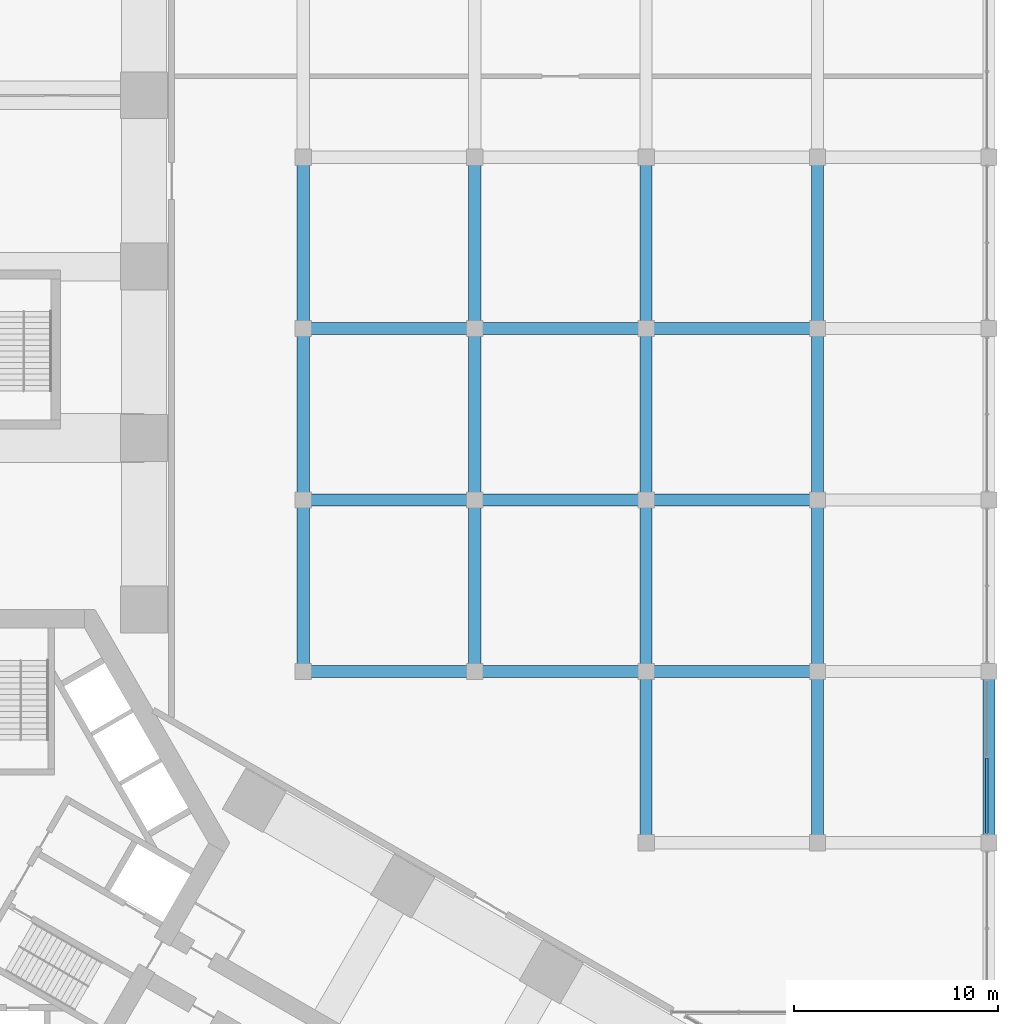
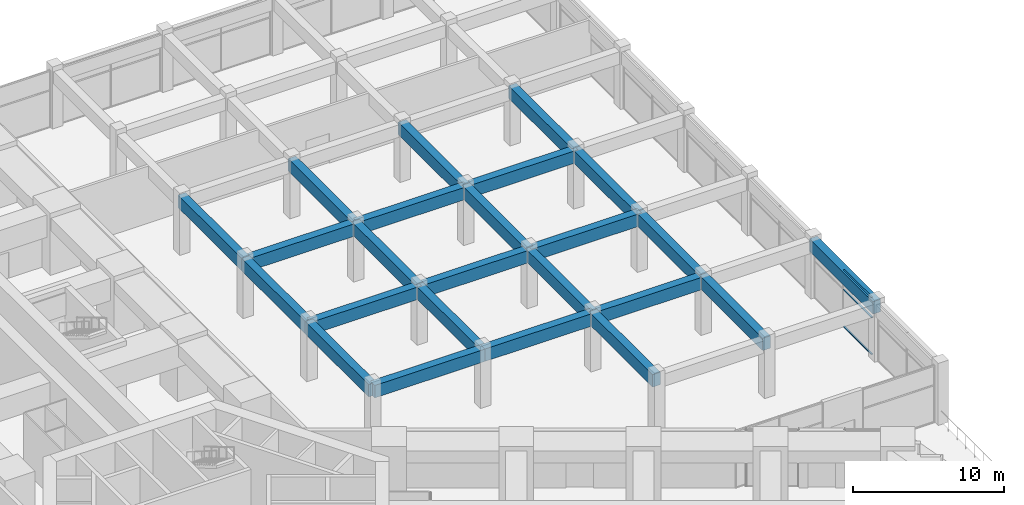
# One storey, part 15 of 33: 24 beams, 3 members, 1 element without a shape of its own.
"""IFC4 building model written with IfcOpenShell, lengths in metres."""

from ifc_helpers import new_model, si_unit, direction, frame, origin, origin_2d, place, context, subcontext, project, spatial, rectangle, extrude, material, material_profile, profile_set, type_object, element, aggregate, save


model = new_model("IFC4")

# Units and contexts
model_context = context("Model", 3, precision=1e-05, world=origin(), true_north=direction((0.0, 1.0)))
body_context = subcontext(model_context, "Body", "Model", "MODEL_VIEW")
ifc_project = project(units=[si_unit("LENGTHUNIT", "METRE"), si_unit("AREAUNIT", "SQUARE_METRE"), si_unit("VOLUMEUNIT", "CUBIC_METRE"), si_unit("PLANEANGLEUNIT", "RADIAN"), si_unit("MASSUNIT", "GRAM", prefix="KILO")], contexts=[model_context])

# Site, building, storey
site_placement = place(None, origin())
site = spatial("IfcSite", under=ifc_project, at=site_placement, CompositionType="ELEMENT")
building_placement = place(site_placement, origin())
building = spatial("IfcBuilding", under=site, at=building_placement, Name="Impinga Residences", CompositionType="ELEMENT")
storey_placement = place(building_placement, frame((0.0, 0.0, 21.0)))
storey = spatial("IfcBuildingStorey", under=building, at=storey_placement, Name="L04", CompositionType="ELEMENT", Elevation=21.0)

# Curtain wall, members
ifc_material_1 = material(Name="Aluminium stick curtain wall", Category="aluminium")
curtain_wall_type = type_object("IfcCurtainWallType", Name="CW1 podium amenity curtain wall", PredefinedType="USERDEFINED", material=ifc_material_1)
curtain_wall_placement = place(storey_placement, origin())
curtain_wall = element("IfcCurtainWall", 1, at=curtain_wall_placement, inside=storey, type_object=curtain_wall_type, Name="Curtain wall CW1 L04", ObjectType="STICK CURTAIN WALL", PredefinedType="USERDEFINED")
ifc_material_2 = material(Name="Aluminium transom", Category="aluminium")
ifc_material_profile_1 = material_profile(ifc_material_2, rectangle(XDim=0.06005859375, YDim=0.1201171875, at=origin_2d()), Name="60x120 transom")
ifc_profile_set_1 = profile_set([ifc_material_profile_1], Name="Aluminium transom")
member_type = type_object("IfcMemberType", Name="CW1-T transom 60x120", PredefinedType="USERDEFINED", material=ifc_profile_set_1)
member_1_placement = place(storey_placement, frame((50.300048828125, 4.169921875, 0.030029296875), z_axis=(0.0, -1.0, 0.0), x_axis=(0.0, 0.0, 1.0)))
member_1 = element("IfcMember", 2, at=member_1_placement, type_object=member_type, Name="CW1 transom 2.1", ObjectType="TRANSOM", PredefinedType="USERDEFINED", context=body_context, shape_type="SweptSolid", body=[
    extrude(rectangle(XDim=0.06005859375, YDim=0.1201171875, at=origin_2d()), origin(), (0.0, 0.0, 1.0), 3.70703125),
])
member_2_placement = place(storey_placement, frame((50.300048828125, 4.169921875, 3.0), z_axis=(0.0, -1.0, 0.0), x_axis=(0.0, 0.0, 1.0)))
member_2 = element("IfcMember", 3, at=member_2_placement, type_object=member_type, Name="CW1 transom 2.2", ObjectType="TRANSOM", PredefinedType="USERDEFINED", context=body_context, shape_type="SweptSolid", body=[
    extrude(rectangle(XDim=0.06005859375, YDim=0.1201171875, at=origin_2d()), origin(), (0.0, 0.0, 1.0), 3.70703125),
])
member_3_placement = place(storey_placement, frame((50.300048828125, 4.169921875, 4.570068359375), z_axis=(0.0, -1.0, 0.0), x_axis=(0.0, 0.0, 1.0)))
member_3 = element("IfcMember", 4, at=member_3_placement, type_object=member_type, Name="CW1 transom 2.3", ObjectType="TRANSOM", PredefinedType="USERDEFINED", context=body_context, shape_type="SweptSolid", body=[
    extrude(rectangle(XDim=0.06005859375, YDim=0.1201171875, at=origin_2d()), origin(), (0.0, 0.0, 1.0), 3.70703125),
])
aggregate(curtain_wall, [member_1, member_2, member_3])

# Beams
ifc_material_3 = material(Name="Concrete C60/75", Category="concrete")
ifc_material_profile_2 = material_profile(ifc_material_3, rectangle(XDim=0.60009765625, YDim=1.0, at=origin_2d()), Name="RC 600x1000")
ifc_profile_set_2 = profile_set([ifc_material_profile_2], Name="Concrete C60/75")
beam_type = type_object("IfcBeamType", Name="PB2 600x1000 podium beam", PredefinedType="BEAM", material=ifc_profile_set_2)
beam_1_placement = place(storey_placement, frame((16.800048828125, 8.39990234375, 4.10009765625), z_axis=(1.0, 0.0, 0.0), x_axis=(0.0, 1.0, 0.0)))
element("IfcBeam", 5, at=beam_1_placement, inside=storey, type_object=beam_type, Name="Beam PB2 G/9-10 level L05", PredefinedType="BEAM", context=body_context, shape_type="SweptSolid", body=[
    extrude(rectangle(XDim=0.60009765625, YDim=1.0, at=origin_2d()), origin(), (0.0, 0.0, 1.0), 8.39990234375),
])
beam_2_placement = place(storey_placement, frame((25.199951171875, 8.39990234375, 4.10009765625), z_axis=(1.0, 0.0, 0.0), x_axis=(0.0, 1.0, 0.0)))
element("IfcBeam", 6, at=beam_2_placement, inside=storey, type_object=beam_type, Name="Beam PB2 G/10-11 level L05", PredefinedType="BEAM", context=body_context, shape_type="SweptSolid", body=[
    extrude(rectangle(XDim=0.60009765625, YDim=1.0, at=origin_2d()), origin(), (0.0, 0.0, 1.0), 8.400146484375),
])
for number, where, z_axis, x_axis, name in (
    (7, (33.60009765625, 8.39990234375, 4.10009765625), (1.0, 0.0, 0.0), (0.0, 1.0, 0.0), "Beam PB2 G/11-12 level L05"),
    (8, (16.800048828125, 16.800048828125, 4.10009765625), (1.0, 0.0, 0.0), (0.0, 1.0, 0.0), "Beam PB2 H/9-10 level L05"),
):
    element("IfcBeam", number, at=place(storey_placement, frame(where, z_axis=z_axis, x_axis=x_axis)), inside=storey, type_object=beam_type, Name=name, PredefinedType="BEAM", context=body_context, shape_type="SweptSolid", body=[
        extrude(rectangle(XDim=0.60009765625, YDim=1.0, at=origin_2d()), origin(), (0.0, 0.0, 1.0), 8.39990234375),
    ])
beam_3_placement = place(storey_placement, frame((25.199951171875, 16.800048828125, 4.10009765625), z_axis=(1.0, 0.0, 0.0), x_axis=(0.0, 1.0, 0.0)))
element("IfcBeam", 9, at=beam_3_placement, inside=storey, type_object=beam_type, Name="Beam PB2 H/10-11 level L05", PredefinedType="BEAM", context=body_context, shape_type="SweptSolid", body=[
    extrude(rectangle(XDim=0.60009765625, YDim=1.0, at=origin_2d()), origin(), (0.0, 0.0, 1.0), 8.400146484375),
])
for number, where, z_axis, x_axis, name in (
    (10, (33.60009765625, 16.800048828125, 4.10009765625), (1.0, 0.0, 0.0), (0.0, 1.0, 0.0), "Beam PB2 H/11-12 level L05"),
    (11, (16.800048828125, 25.199951171875, 4.10009765625), (1.0, 0.0, 0.0), (0.0, 1.0, 0.0), "Beam PB2 J/9-10 level L05"),
):
    element("IfcBeam", number, at=place(storey_placement, frame(where, z_axis=z_axis, x_axis=x_axis)), inside=storey, type_object=beam_type, Name=name, PredefinedType="BEAM", context=body_context, shape_type="SweptSolid", body=[
        extrude(rectangle(XDim=0.60009765625, YDim=1.0, at=origin_2d()), origin(), (0.0, 0.0, 1.0), 8.39990234375),
    ])
beam_4_placement = place(storey_placement, frame((25.199951171875, 25.199951171875, 4.10009765625), z_axis=(1.0, 0.0, 0.0), x_axis=(0.0, 1.0, 0.0)))
element("IfcBeam", 12, at=beam_4_placement, inside=storey, type_object=beam_type, Name="Beam PB2 J/10-11 level L05", PredefinedType="BEAM", context=body_context, shape_type="SweptSolid", body=[
    extrude(rectangle(XDim=0.60009765625, YDim=1.0, at=origin_2d()), origin(), (0.0, 0.0, 1.0), 8.400146484375),
])
beam_5_placement = place(storey_placement, frame((33.60009765625, 25.199951171875, 4.10009765625), z_axis=(1.0, 0.0, 0.0), x_axis=(0.0, 1.0, 0.0)))
element("IfcBeam", 13, at=beam_5_placement, inside=storey, type_object=beam_type, Name="Beam PB2 J/11-12 level L05", PredefinedType="BEAM", context=body_context, shape_type="SweptSolid", body=[
    extrude(rectangle(XDim=0.60009765625, YDim=1.0, at=origin_2d()), origin(), (0.0, 0.0, 1.0), 8.39990234375),
])
beam_6_placement = place(storey_placement, frame((16.800048828125, 8.39990234375, 4.10009765625), z_axis=(0.0, 1.0, 0.0), x_axis=(-1.0, 0.0, 0.0)))
element("IfcBeam", 14, at=beam_6_placement, inside=storey, type_object=beam_type, Name="Beam PB2 9/G-H level L05", PredefinedType="BEAM", context=body_context, shape_type="SweptSolid", body=[
    extrude(rectangle(XDim=0.60009765625, YDim=1.0, at=origin_2d()), origin(), (0.0, 0.0, 1.0), 8.400146484375),
])
beam_7_placement = place(storey_placement, frame((16.800048828125, 16.800048828125, 4.10009765625), z_axis=(0.0, 1.0, 0.0), x_axis=(-1.0, 0.0, 0.0)))
element("IfcBeam", 15, at=beam_7_placement, inside=storey, type_object=beam_type, Name="Beam PB2 9/H-J level L05", PredefinedType="BEAM", context=body_context, shape_type="SweptSolid", body=[
    extrude(rectangle(XDim=0.60009765625, YDim=1.0, at=origin_2d()), origin(), (0.0, 0.0, 1.0), 8.39990234375),
])
for number, where, z_axis, x_axis, name in (
    (16, (16.800048828125, 25.199951171875, 4.10009765625), (0.0, 1.0, 0.0), (-1.0, 0.0, 0.0), "Beam PB2 9/J-K level L05"),
    (17, (25.199951171875, 8.39990234375, 4.10009765625), (0.0, 1.0, 0.0), (-1.0, 0.0, 0.0), "Beam PB2 10/G-H level L05"),
):
    element("IfcBeam", number, at=place(storey_placement, frame(where, z_axis=z_axis, x_axis=x_axis)), inside=storey, type_object=beam_type, Name=name, PredefinedType="BEAM", context=body_context, shape_type="SweptSolid", body=[
        extrude(rectangle(XDim=0.60009765625, YDim=1.0, at=origin_2d()), origin(), (0.0, 0.0, 1.0), 8.400146484375),
    ])
beam_8_placement = place(storey_placement, frame((25.199951171875, 16.800048828125, 4.10009765625), z_axis=(0.0, 1.0, 0.0), x_axis=(-1.0, 0.0, 0.0)))
element("IfcBeam", 18, at=beam_8_placement, inside=storey, type_object=beam_type, Name="Beam PB2 10/H-J level L05", PredefinedType="BEAM", context=body_context, shape_type="SweptSolid", body=[
    extrude(rectangle(XDim=0.60009765625, YDim=1.0, at=origin_2d()), origin(), (0.0, 0.0, 1.0), 8.39990234375),
])
beam_9_placement = place(storey_placement, frame((25.199951171875, 25.199951171875, 4.10009765625), z_axis=(0.0, 1.0, 0.0), x_axis=(-1.0, 0.0, 0.0)))
element("IfcBeam", 19, at=beam_9_placement, inside=storey, type_object=beam_type, Name="Beam PB2 10/J-K level L05", PredefinedType="BEAM", context=body_context, shape_type="SweptSolid", body=[
    extrude(rectangle(XDim=0.60009765625, YDim=1.0, at=origin_2d()), origin(), (0.0, 0.0, 1.0), 8.400146484375),
])
beam_10_placement = place(storey_placement, frame((33.60009765625, 0.0, 4.10009765625), z_axis=(0.0, 1.0, 0.0), x_axis=(-1.0, 0.0, 0.0)))
element("IfcBeam", 20, at=beam_10_placement, inside=storey, type_object=beam_type, Name="Beam PB2 11/F-G level L05", PredefinedType="BEAM", context=body_context, shape_type="SweptSolid", body=[
    extrude(rectangle(XDim=0.60009765625, YDim=1.0, at=origin_2d()), origin(), (0.0, 0.0, 1.0), 8.39990234375),
])
beam_11_placement = place(storey_placement, frame((33.60009765625, 8.39990234375, 4.10009765625), z_axis=(0.0, 1.0, 0.0), x_axis=(-1.0, 0.0, 0.0)))
element("IfcBeam", 21, at=beam_11_placement, inside=storey, type_object=beam_type, Name="Beam PB2 11/G-H level L05", PredefinedType="BEAM", context=body_context, shape_type="SweptSolid", body=[
    extrude(rectangle(XDim=0.60009765625, YDim=1.0, at=origin_2d()), origin(), (0.0, 0.0, 1.0), 8.400146484375),
])
beam_12_placement = place(storey_placement, frame((33.60009765625, 16.800048828125, 4.10009765625), z_axis=(0.0, 1.0, 0.0), x_axis=(-1.0, 0.0, 0.0)))
element("IfcBeam", 22, at=beam_12_placement, inside=storey, type_object=beam_type, Name="Beam PB2 11/H-J level L05", PredefinedType="BEAM", context=body_context, shape_type="SweptSolid", body=[
    extrude(rectangle(XDim=0.60009765625, YDim=1.0, at=origin_2d()), origin(), (0.0, 0.0, 1.0), 8.39990234375),
])
beam_13_placement = place(storey_placement, frame((33.60009765625, 25.199951171875, 4.10009765625), z_axis=(0.0, 1.0, 0.0), x_axis=(-1.0, 0.0, 0.0)))
element("IfcBeam", 23, at=beam_13_placement, inside=storey, type_object=beam_type, Name="Beam PB2 11/J-K level L05", PredefinedType="BEAM", context=body_context, shape_type="SweptSolid", body=[
    extrude(rectangle(XDim=0.60009765625, YDim=1.0, at=origin_2d()), origin(), (0.0, 0.0, 1.0), 8.400146484375),
])
beam_14_placement = place(storey_placement, frame((42.0, 0.0, 4.10009765625), z_axis=(0.0, 1.0, 0.0), x_axis=(-1.0, 0.0, 0.0)))
element("IfcBeam", 24, at=beam_14_placement, inside=storey, type_object=beam_type, Name="Beam PB2 12/F-G level L05", PredefinedType="BEAM", context=body_context, shape_type="SweptSolid", body=[
    extrude(rectangle(XDim=0.60009765625, YDim=1.0, at=origin_2d()), origin(), (0.0, 0.0, 1.0), 8.39990234375),
])
beam_15_placement = place(storey_placement, frame((42.0, 8.39990234375, 4.10009765625), z_axis=(0.0, 1.0, 0.0), x_axis=(-1.0, 0.0, 0.0)))
element("IfcBeam", 25, at=beam_15_placement, inside=storey, type_object=beam_type, Name="Beam PB2 12/G-H level L05", PredefinedType="BEAM", context=body_context, shape_type="SweptSolid", body=[
    extrude(rectangle(XDim=0.60009765625, YDim=1.0, at=origin_2d()), origin(), (0.0, 0.0, 1.0), 8.400146484375),
])
beam_16_placement = place(storey_placement, frame((42.0, 16.800048828125, 4.10009765625), z_axis=(0.0, 1.0, 0.0), x_axis=(-1.0, 0.0, 0.0)))
element("IfcBeam", 26, at=beam_16_placement, inside=storey, type_object=beam_type, Name="Beam PB2 12/H-J level L05", PredefinedType="BEAM", context=body_context, shape_type="SweptSolid", body=[
    extrude(rectangle(XDim=0.60009765625, YDim=1.0, at=origin_2d()), origin(), (0.0, 0.0, 1.0), 8.39990234375),
])
beam_17_placement = place(storey_placement, frame((42.0, 25.199951171875, 4.10009765625), z_axis=(0.0, 1.0, 0.0), x_axis=(-1.0, 0.0, 0.0)))
element("IfcBeam", 27, at=beam_17_placement, inside=storey, type_object=beam_type, Name="Beam PB2 12/J-K level L05", PredefinedType="BEAM", context=body_context, shape_type="SweptSolid", body=[
    extrude(rectangle(XDim=0.60009765625, YDim=1.0, at=origin_2d()), origin(), (0.0, 0.0, 1.0), 8.400146484375),
])
beam_18_placement = place(storey_placement, frame((50.39990234375, 0.0, 4.10009765625), z_axis=(0.0, 1.0, 0.0), x_axis=(-1.0, 0.0, 0.0)))
element("IfcBeam", 28, at=beam_18_placement, inside=storey, type_object=beam_type, Name="Beam PB2 13/F-G level L05", PredefinedType="BEAM", context=body_context, shape_type="SweptSolid", body=[
    extrude(rectangle(XDim=0.60009765625, YDim=1.0, at=origin_2d()), origin(), (0.0, 0.0, 1.0), 8.39990234375),
])

save(model, "model.ifc")
